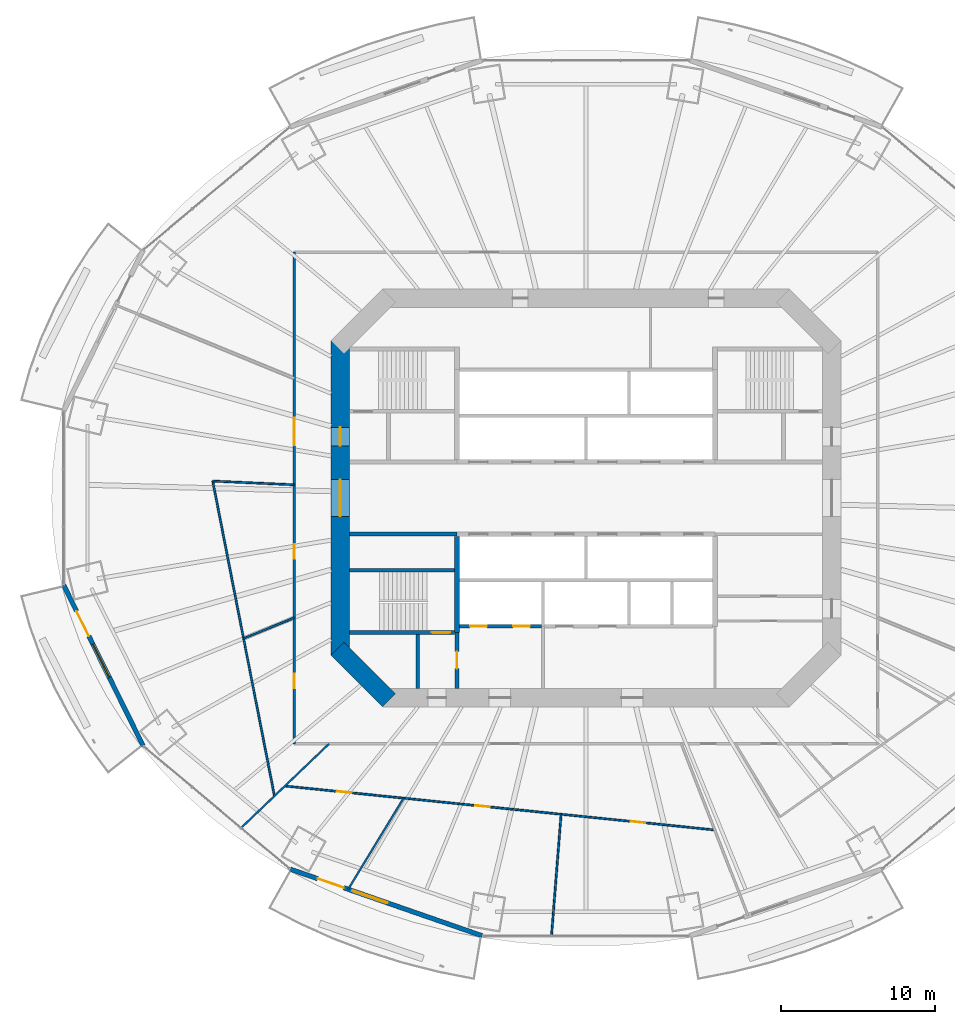
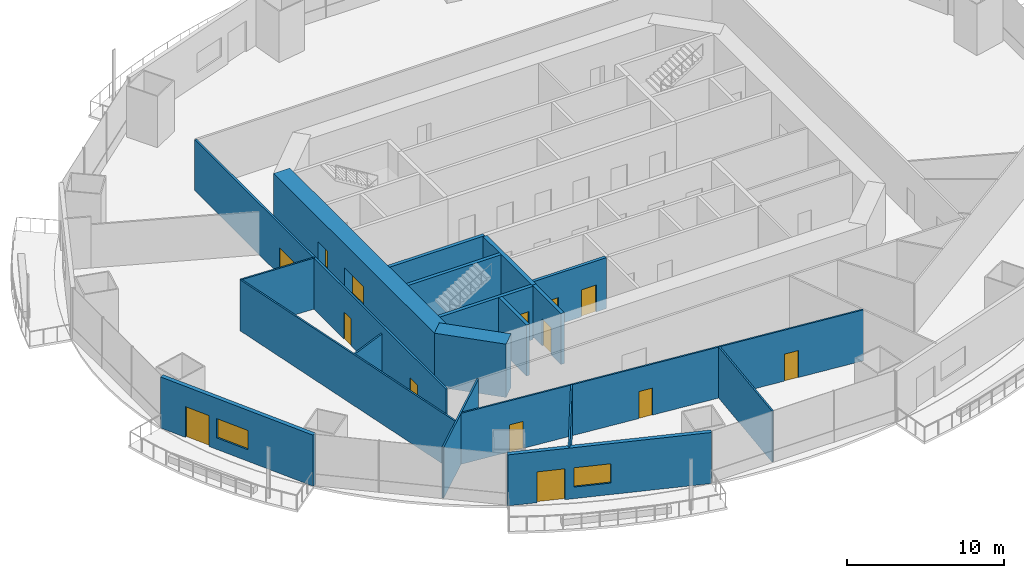
# One storey, part 13 of 22: 19 walls, 14 doors, 2 windows, 16 openings.
"""IFC4 building model written with IfcOpenShell, lengths in metres."""

from ifc_helpers import new_model, si_unit, direction, frame, frame_2d, origin, place, context, subcontext, project, spatial, rectangle, extrude, material, layer, layer_set, type_object, element, fill, save


model = new_model("IFC4")

# Units and contexts
model_context = context("Model", 3, precision=1e-05, world=origin(), true_north=direction((0.0, 1.0)))
body_context = subcontext(model_context, "Body", "Model", "MODEL_VIEW")
ifc_project = project(units=[si_unit("LENGTHUNIT", "METRE"), si_unit("AREAUNIT", "SQUARE_METRE"), si_unit("VOLUMEUNIT", "CUBIC_METRE"), si_unit("PLANEANGLEUNIT", "RADIAN"), si_unit("MASSUNIT", "GRAM", prefix="KILO")], contexts=[model_context])

# Site, building, storey
site_placement = place(None, origin())
site = spatial("IfcSite", under=ifc_project, at=site_placement, CompositionType="ELEMENT")
building_placement = place(site_placement, origin())
building = spatial("IfcBuilding", under=site, at=building_placement, Name="Marenthal Gate Tower", CompositionType="ELEMENT")
storey_placement = place(building_placement, frame((0.0, 0.0, 99.39990234375)))
storey = spatial("IfcBuildingStorey", under=building, at=storey_placement, Name="L20", CompositionType="ELEMENT", Elevation=99.39990234375)

# Wall, openings, doors
ifc_material_1 = material(Name="Concrete 60 MPa", Category="concrete")
ifc_layer_1 = layer(ifc_material_1, 1.199951171875)
ifc_layer_set_1 = layer_set([ifc_layer_1], Name="Core shear wall 1200")
wall_type_1 = type_object("IfcWallType", Name="Core shear wall 1200", PredefinedType="SHEAR", material=ifc_layer_set_1)
wall_1_placement = place(storey_placement, frame((-16.0, 10.24853515625, -0.179931640625), z_axis=(0.0, 0.0, 1.0), x_axis=(0.0, -1.0, 0.0)))
wall_1 = element("IfcWall", 1, at=wall_1_placement, inside=storey, type_object=wall_type_1, Name="Core wall 06", PredefinedType="SHEAR", context=body_context, shape_type="SweptSolid", body=[
    extrude(rectangle(XDim=20.4970703125, YDim=1.199951171875, at=frame_2d((10.24853515625, 0.0))), origin(), (0.0, 0.0, 1.0), 4.150146484375),
])
opening_1_placement = place(wall_1_placement, frame((9.048583984375, 0.0, 0.179931640625)))
opening_1 = element("IfcOpeningElement", 2, at=opening_1_placement, cuts=wall_1, Name="Opening D003.01", PredefinedType="OPENING", context=body_context, shape_type="SweptSolid", body=[
    extrude(rectangle(XDim=2.39990234375, YDim=2.10009765625, at=frame_2d((1.199951171875, 1.050048828125))), frame((0.0, 0.60986328125, 0.0), z_axis=(0.0, -1.0, 0.0), x_axis=(1.0, 0.0, 0.0)), (0.0, 0.0, 1.0), 1.219970703125),
])
opening_2_placement = place(wall_1_placement, frame((5.6484375, 0.0, 0.179931640625)))
opening_2 = element("IfcOpeningElement", 3, at=opening_2_placement, cuts=wall_1, Name="Opening D001.04", PredefinedType="OPENING", context=body_context, shape_type="SweptSolid", body=[
    extrude(rectangle(XDim=1.199951171875, YDim=2.10009765625, at=frame_2d((0.60009765625, 1.050048828125))), frame((0.0, 0.60986328125, 0.0), z_axis=(0.0, -1.0, 0.0), x_axis=(1.0, 0.0, 0.0)), (0.0, 0.0, 1.0), 1.219970703125),
])
ifc_material_2 = material(Name="Steel fire door", Category="steel")
door_type_1 = type_object("IfcDoorType", Name="Double fire door FD 45 2400 x 2100", OperationType="DOUBLE_DOOR_SINGLE_SWING", PredefinedType="DOOR", material=ifc_material_2)
door_1_placement = place(opening_1_placement, origin())
door_1 = element("IfcDoor", 4, at=door_1_placement, inside=storey, type_object=door_type_1, Name="Door D003.01", OperationType="DOUBLE_DOOR_SINGLE_SWING", OverallHeight=2.10009765625, OverallWidth=2.39990234375, PredefinedType="DOOR", context=body_context, shape_type="SweptSolid", body=[
    extrude(rectangle(XDim=2.39990234375, YDim=2.10009765625, at=frame_2d((1.199951171875, 1.050048828125))), frame((0.0, 0.02490234375, 0.0), z_axis=(0.0, -1.0, 0.0), x_axis=(1.0, 0.0, 0.0)), (0.0, 0.0, 1.0), 0.050048828125),
])
fill(opening_1, door_1)
ifc_material_3 = material(Name="Steel fire door", Category="steel")
door_type_2 = type_object("IfcDoorType", Name="Fire door FD 90 1200 x 2100", OperationType="NOTDEFINED", PredefinedType="DOOR", material=ifc_material_3)
door_2_placement = place(opening_2_placement, origin())
door_2 = element("IfcDoor", 5, at=door_2_placement, inside=storey, type_object=door_type_2, Name="Door D001.04", OperationType="SINGLE_SWING_RIGHT", OverallHeight=2.10009765625, OverallWidth=1.199951171875, PredefinedType="DOOR", context=body_context, shape_type="SweptSolid", body=[
    extrude(rectangle(XDim=1.199951171875, YDim=2.10009765625, at=frame_2d((0.60009765625, 1.050048828125))), frame((0.0, 0.02490234375, 0.0), z_axis=(0.0, -1.0, 0.0), x_axis=(1.0, 0.0, 0.0)), (0.0, 0.0, 1.0), 0.050048828125),
])
fill(opening_2, door_2)

# Walls
wall_2_placement = place(storey_placement, frame((-16.17578125, -9.82421875, -0.179931640625), z_axis=(0.0, 0.0, 1.0), x_axis=(0.707106781187, -0.707106781187, 0.0)))
element("IfcWall", 6, at=wall_2_placement, inside=storey, type_object=wall_type_1, Name="Core wall 07", PredefinedType="SHEAR", context=body_context, shape_type="SweptSolid", body=[
    extrude(rectangle(XDim=4.73974609375, YDim=1.199951171875, at=frame_2d((2.369873046875, 0.0))), origin(), (0.0, 0.0, 1.0), 4.150146484375),
])
ifc_material_4 = material(Name="Concrete 50 MPa", Category="concrete")
ifc_layer_2 = layer(ifc_material_4, 0.300048828125)
ifc_layer_set_2 = layer_set([ifc_layer_2], Name="Hoistway shear wall 300")
wall_type_2 = type_object("IfcWallType", Name="Hoistway shear wall 300", PredefinedType="SHEAR", material=ifc_layer_set_2)
wall_3_placement = place(storey_placement, frame((-8.39990234375, -8.75, -0.179931640625), z_axis=(0.0, 0.0, 1.0), x_axis=(0.0, 1.0, 0.0)))
element("IfcWall", 7, at=wall_3_placement, inside=storey, type_object=wall_type_2, Name="Hoistway wall 31", PredefinedType="SHEAR", context=body_context, shape_type="SweptSolid", body=[
    extrude(rectangle(XDim=6.25, YDim=0.300048828125, at=frame_2d((3.125, 0.0))), origin(), (0.0, 0.0, 1.0), 4.150146484375),
])

# Wall, openings, doors
ifc_material_5 = material(Name="Concrete 40 MPa", Category="concrete")
ifc_layer_3 = layer(ifc_material_5, 0.219970703125)
ifc_layer_set_3 = layer_set([ifc_layer_3], Name="Hoistway wall 220")
wall_type_3 = type_object("IfcWallType", Name="Hoistway wall 220", PredefinedType="STANDARD", material=ifc_layer_set_3)
wall_4_placement = place(storey_placement, frame((-8.25, -8.35009765625, 0.0), z_axis=(0.0, 0.0, 1.0), x_axis=(1.0, 0.0, 0.0)))
wall_4 = element("IfcWall", 8, at=wall_4_placement, inside=storey, type_object=wall_type_3, Name="Hoistway wall 10", PredefinedType="STANDARD", context=body_context, shape_type="SweptSolid", body=[
    extrude(rectangle(XDim=5.340087890625, YDim=0.219970703125, at=frame_2d((2.669921875, 0.0))), origin(), (0.0, 0.0, 1.0), 3.97021484375),
])
opening_3_placement = place(wall_4_placement, frame((0.699951171875, 0.0, 0.0)))
opening_3 = element("IfcOpeningElement", 9, at=opening_3_placement, cuts=wall_4, Name="Opening LD-LF1", PredefinedType="OPENING", context=body_context, shape_type="SweptSolid", body=[
    extrude(rectangle(XDim=1.10009765625, YDim=2.10009765625, at=frame_2d((0.550048828125, 1.050048828125))), frame((0.0, 0.1201171875, 0.0), z_axis=(0.0, -1.0, 0.0), x_axis=(1.0, 0.0, 0.0)), (0.0, 0.0, 1.0), 0.239990234375),
])
opening_4_placement = place(wall_4_placement, frame((3.5, 0.0, 0.0)))
opening_4 = element("IfcOpeningElement", 10, at=opening_4_placement, cuts=wall_4, Name="Opening LD-LF2", PredefinedType="OPENING", context=body_context, shape_type="SweptSolid", body=[
    extrude(rectangle(XDim=1.10009765625, YDim=2.10009765625, at=frame_2d((0.550048828125, 1.050048828125))), frame((0.0, 0.1201171875, 0.0), z_axis=(0.0, -1.0, 0.0), x_axis=(1.0, 0.0, 0.0)), (0.0, 0.0, 1.0), 0.239990234375),
])
ifc_material_6 = material(Name="Stainless steel sliding door", Category="steel")
door_type_3 = type_object("IfcDoorType", Name="Lift landing door FD 90 1100 x 2100", OperationType="DOUBLE_DOOR_SLIDING", PredefinedType="DOOR", material=ifc_material_6)
door_3_placement = place(opening_3_placement, origin())
door_3 = element("IfcDoor", 11, at=door_3_placement, inside=storey, type_object=door_type_3, Name="Lift landing door LF1", OperationType="DOUBLE_DOOR_SLIDING", OverallHeight=2.10009765625, OverallWidth=1.10009765625, PredefinedType="DOOR", context=body_context, shape_type="SweptSolid", body=[
    extrude(rectangle(XDim=1.10009765625, YDim=2.10009765625, at=frame_2d((0.550048828125, 1.050048828125))), frame((0.0, 0.02490234375, 0.0), z_axis=(0.0, -1.0, 0.0), x_axis=(1.0, 0.0, 0.0)), (0.0, 0.0, 1.0), 0.050048828125),
])
fill(opening_3, door_3)
door_4_placement = place(opening_4_placement, origin())
door_4 = element("IfcDoor", 12, at=door_4_placement, inside=storey, type_object=door_type_3, Name="Lift landing door LF2", OperationType="DOUBLE_DOOR_SLIDING", OverallHeight=2.10009765625, OverallWidth=1.10009765625, PredefinedType="DOOR", context=body_context, shape_type="SweptSolid", body=[
    extrude(rectangle(XDim=1.10009765625, YDim=2.10009765625, at=frame_2d((0.550048828125, 1.050048828125))), frame((0.0, 0.02490234375, 0.0), z_axis=(0.0, -1.0, 0.0), x_axis=(1.0, 0.0, 0.0)), (0.0, 0.0, 1.0), 0.050048828125),
])
fill(opening_4, door_4)

# Walls
ifc_material_7 = material(Name="Gypsum board on steel studs", Category="steel")
ifc_layer_4 = layer(ifc_material_7, 0.1201171875)
ifc_layer_set_4 = layer_set([ifc_layer_4], Name="Partition 120")
wall_type_4 = type_object("IfcWallType", Name="Partition 120", PredefinedType="PARTITIONING", material=ifc_layer_set_4)
wall_5_placement = place(storey_placement, frame((-24.29931640625, 1.1015625, 0.0), z_axis=(0.0, 0.0, 1.0), x_axis=(0.192428584769, -0.98131098015, 0.0)))
element("IfcWall", 13, at=wall_5_placement, inside=storey, type_object=wall_type_4, Name="Partition wall 47", PredefinedType="PARTITIONING", context=body_context, shape_type="SweptSolid", body=[
    extrude(rectangle(XDim=20.888427734375, YDim=0.1201171875, at=frame_2d((10.4443359375, 0.0))), origin(), (0.0, 0.0, 1.0), 3.97021484375),
])
wall_6_placement = place(storey_placement, frame((-24.29931640625, 1.1015625, 0.0), z_axis=(0.0, 0.0, 1.0), x_axis=(0.998974036647, -0.045286577539, 0.0)))
element("IfcWall", 14, at=wall_6_placement, inside=storey, type_object=wall_type_4, Name="Partition wall 48", PredefinedType="PARTITIONING", context=body_context, shape_type="SweptSolid", body=[
    extrude(rectangle(XDim=5.3046875, YDim=0.1201171875, at=frame_2d((2.65234375, 0.0))), origin(), (0.0, 0.0, 1.0), 3.97021484375),
])
wall_7_placement = place(storey_placement, frame((-22.28955078125, -9.1474609375, 0.0), z_axis=(0.0, 0.0, 1.0), x_axis=(0.92513955931, 0.379627180008, 0.0)))
element("IfcWall", 15, at=wall_7_placement, inside=storey, type_object=wall_type_4, Name="Partition wall 49", PredefinedType="PARTITIONING", context=body_context, shape_type="SweptSolid", body=[
    extrude(rectangle(XDim=3.5556640625, YDim=0.1201171875, at=frame_2d((1.77783203125, 0.0))), origin(), (0.0, 0.0, 1.0), 3.358154296875),
])

# Wall, openings, doors
wall_8_placement = place(storey_placement, frame((-19.6005859375, -18.746826171875, 0.0), z_axis=(0.0, 0.0, 1.0), x_axis=(0.994814570483, -0.101705311343, 0.0)))
wall_8 = element("IfcWall", 16, at=wall_8_placement, inside=storey, type_object=wall_type_4, Name="Partition wall 50", PredefinedType="PARTITIONING", context=body_context, shape_type="SweptSolid", body=[
    extrude(rectangle(XDim=28.126220703125, YDim=0.1201171875, at=frame_2d((14.06298828125, 0.0))), origin(), (0.0, 0.0, 1.0), 3.97021484375),
])
opening_5_placement = place(wall_8_placement, frame((3.406982421875, 0.0, 0.0)))
opening_5 = element("IfcOpeningElement", 17, at=opening_5_placement, cuts=wall_8, Name="Opening D016.03", PredefinedType="OPENING", context=body_context, shape_type="SweptSolid", body=[
    extrude(rectangle(XDim=0.949951171875, YDim=2.10009765625, at=frame_2d((0.47509765625, 1.050048828125))), frame((0.0, 0.070068359375, 0.0), z_axis=(0.0, -1.0, 0.0), x_axis=(1.0, 0.0, 0.0)), (0.0, 0.0, 1.0), 0.14013671875),
])
opening_6_placement = place(wall_8_placement, frame((12.444091796875, 0.0, 0.0)))
opening_6 = element("IfcOpeningElement", 18, at=opening_6_placement, cuts=wall_8, Name="Opening D016.04", PredefinedType="OPENING", context=body_context, shape_type="SweptSolid", body=[
    extrude(rectangle(XDim=0.949951171875, YDim=2.10009765625, at=frame_2d((0.47509765625, 1.050048828125))), frame((0.0, 0.070068359375, 0.0), z_axis=(0.0, -1.0, 0.0), x_axis=(1.0, 0.0, 0.0)), (0.0, 0.0, 1.0), 0.14013671875),
])
opening_7_placement = place(wall_8_placement, frame((22.625, 0.0, 0.0)))
opening_7 = element("IfcOpeningElement", 19, at=opening_7_placement, cuts=wall_8, Name="Opening D016.05", PredefinedType="OPENING", context=body_context, shape_type="SweptSolid", body=[
    extrude(rectangle(XDim=0.949951171875, YDim=2.10009765625, at=frame_2d((0.47509765625, 1.050048828125))), frame((0.0, 0.070068359375, 0.0), z_axis=(0.0, -1.0, 0.0), x_axis=(1.0, 0.0, 0.0)), (0.0, 0.0, 1.0), 0.14013671875),
])
ifc_material_8 = material(Name="Timber door", Category="wood")
door_type_4 = type_object("IfcDoorType", Name="Door 950 x 2100", OperationType="NOTDEFINED", PredefinedType="DOOR", material=ifc_material_8)
door_5_placement = place(opening_5_placement, frame((0.949951171875, 0.0, 0.0), z_axis=(0.0, 0.0, 1.0), x_axis=(-1.0, 0.0, 0.0)))
door_5 = element("IfcDoor", 20, at=door_5_placement, inside=storey, type_object=door_type_4, Name="Door D016.03", OperationType="SINGLE_SWING_LEFT", OverallHeight=2.10009765625, OverallWidth=0.949951171875, PredefinedType="DOOR", context=body_context, shape_type="SweptSolid", body=[
    extrude(rectangle(XDim=0.949951171875, YDim=2.10009765625, at=frame_2d((0.47509765625, 1.050048828125))), frame((0.0, 0.02490234375, 0.0), z_axis=(0.0, -1.0, 0.0), x_axis=(1.0, 0.0, 0.0)), (0.0, 0.0, 1.0), 0.050048828125),
])
fill(opening_5, door_5)
door_6_placement = place(opening_6_placement, frame((0.949951171875, 0.0, 0.0), z_axis=(0.0, 0.0, 1.0), x_axis=(-1.0, 0.0, 0.0)))
door_6 = element("IfcDoor", 21, at=door_6_placement, inside=storey, type_object=door_type_4, Name="Door D016.04", OperationType="SINGLE_SWING_LEFT", OverallHeight=2.10009765625, OverallWidth=0.949951171875, PredefinedType="DOOR", context=body_context, shape_type="SweptSolid", body=[
    extrude(rectangle(XDim=0.949951171875, YDim=2.10009765625, at=frame_2d((0.47509765625, 1.050048828125))), frame((0.0, 0.02490234375, 0.0), z_axis=(0.0, -1.0, 0.0), x_axis=(1.0, 0.0, 0.0)), (0.0, 0.0, 1.0), 0.050048828125),
])
fill(opening_6, door_6)
door_7_placement = place(opening_7_placement, frame((0.949951171875, 0.0, 0.0), z_axis=(0.0, 0.0, 1.0), x_axis=(-1.0, 0.0, 0.0)))
door_7 = element("IfcDoor", 22, at=door_7_placement, inside=storey, type_object=door_type_4, Name="Door D016.05", OperationType="SINGLE_SWING_LEFT", OverallHeight=2.10009765625, OverallWidth=0.949951171875, PredefinedType="DOOR", context=body_context, shape_type="SweptSolid", body=[
    extrude(rectangle(XDim=0.949951171875, YDim=2.10009765625, at=frame_2d((0.47509765625, 1.050048828125))), frame((0.0, 0.02490234375, 0.0), z_axis=(0.0, -1.0, 0.0), x_axis=(1.0, 0.0, 0.0)), (0.0, 0.0, 1.0), 0.050048828125),
])
fill(opening_7, door_7)

# Walls
wall_9_placement = place(storey_placement, frame((-16.728515625, -16.0, 0.0), z_axis=(0.0, 0.0, 1.0), x_axis=(-0.722671289977, -0.69119187397, 0.0)))
element("IfcWall", 23, at=wall_9_placement, inside=storey, type_object=wall_type_4, Name="Partition wall 54", PredefinedType="PARTITIONING", context=body_context, shape_type="SweptSolid", body=[
    extrude(rectangle(XDim=7.92626953125, YDim=0.1201171875, at=frame_2d((3.963134765625, 0.0))), origin(), (0.0, 0.0, 1.0), 3.97021484375),
])
wall_10_placement = place(storey_placement, frame((-15.481689453125, -25.468505859375, 0.0), z_axis=(0.0, 0.0, 1.0), x_axis=(0.519421340377, 0.854518268477, 0.0)))
element("IfcWall", 24, at=wall_10_placement, inside=storey, type_object=wall_type_4, Name="Partition wall 55", PredefinedType="PARTITIONING", context=body_context, shape_type="SweptSolid", body=[
    extrude(rectangle(XDim=6.94189453125, YDim=0.1201171875, at=frame_2d((3.470947265625, 0.0))), origin(), (0.0, 0.0, 1.0), 3.97021484375),
])
wall_11_placement = place(storey_placement, frame((-2.244384765625, -28.494873046875, 0.0), z_axis=(0.0, 0.0, 1.0), x_axis=(0.07852464167, 0.996912172987, 0.0)))
element("IfcWall", 25, at=wall_11_placement, inside=storey, type_object=wall_type_4, Name="Partition wall 56", PredefinedType="PARTITIONING", context=body_context, shape_type="SweptSolid", body=[
    extrude(rectangle(XDim=7.934326171875, YDim=0.1201171875, at=frame_2d((3.96728515625, 0.0))), origin(), (0.0, 0.0, 1.0), 3.97021484375),
])

# Wall, openings, doors
ifc_material_9 = material(Name="Gypsum board on steel studs", Category="steel")
ifc_layer_5 = layer(ifc_material_9, 0.14990234375)
ifc_layer_set_5 = layer_set([ifc_layer_5], Name="Partition 150")
wall_type_5 = type_object("IfcWallType", Name="Partition 150", PredefinedType="PARTITIONING", material=ifc_layer_set_5)
wall_12_placement = place(storey_placement, frame((-19.0, -16.0, 0.0), z_axis=(0.0, 0.0, 1.0), x_axis=(0.0, 1.0, 0.0)))
wall_12 = element("IfcWall", 26, at=wall_12_placement, inside=storey, type_object=wall_type_5, Name="Partition wall 51", PredefinedType="PARTITIONING", context=body_context, shape_type="SweptSolid", body=[
    extrude(rectangle(XDim=32.0, YDim=0.14990234375, at=frame_2d((16.0, 0.0))), origin(), (0.0, 0.0, 1.0), 3.97021484375),
])
opening_8_placement = place(wall_12_placement, frame((12.056884765625, 0.0, 0.0)))
opening_8 = element("IfcOpeningElement", 27, at=opening_8_placement, cuts=wall_12, Name="Opening D016.01", PredefinedType="OPENING", context=body_context, shape_type="SweptSolid", body=[
    extrude(rectangle(XDim=0.949951171875, YDim=2.10009765625, at=frame_2d((0.47509765625, 1.050048828125))), frame((0.0, 0.0849609375, 0.0), z_axis=(0.0, -1.0, 0.0), x_axis=(1.0, 0.0, 0.0)), (0.0, 0.0, 1.0), 0.169921875),
])
opening_9_placement = place(wall_12_placement, frame((3.6259765625, 0.0, 0.0)))
opening_9 = element("IfcOpeningElement", 28, at=opening_9_placement, cuts=wall_12, Name="Opening D016.02", PredefinedType="OPENING", context=body_context, shape_type="SweptSolid", body=[
    extrude(rectangle(XDim=0.949951171875, YDim=2.10009765625, at=frame_2d((0.47509765625, 1.050048828125))), frame((0.0, 0.0849609375, 0.0), z_axis=(0.0, -1.0, 0.0), x_axis=(1.0, 0.0, 0.0)), (0.0, 0.0, 1.0), 0.169921875),
])
opening_10_placement = place(wall_12_placement, frame((19.427978515625, 0.0, 0.0)))
opening_10 = element("IfcOpeningElement", 29, at=opening_10_placement, cuts=wall_12, Name="Opening D014.02", PredefinedType="OPENING", context=body_context, shape_type="SweptSolid", body=[
    extrude(rectangle(XDim=1.800048828125, YDim=2.10009765625, at=frame_2d((0.89990234375, 1.050048828125))), frame((0.0, 0.0849609375, 0.0), z_axis=(0.0, -1.0, 0.0), x_axis=(1.0, 0.0, 0.0)), (0.0, 0.0, 1.0), 0.169921875),
])
door_8_placement = place(opening_8_placement, origin())
door_8 = element("IfcDoor", 30, at=door_8_placement, inside=storey, type_object=door_type_4, Name="Door D016.01", OperationType="SINGLE_SWING_RIGHT", OverallHeight=2.10009765625, OverallWidth=0.949951171875, PredefinedType="DOOR", context=body_context, shape_type="SweptSolid", body=[
    extrude(rectangle(XDim=0.949951171875, YDim=2.10009765625, at=frame_2d((0.47509765625, 1.050048828125))), frame((0.0, 0.02490234375, 0.0), z_axis=(0.0, -1.0, 0.0), x_axis=(1.0, 0.0, 0.0)), (0.0, 0.0, 1.0), 0.050048828125),
])
fill(opening_8, door_8)
door_9_placement = place(opening_9_placement, origin())
door_9 = element("IfcDoor", 31, at=door_9_placement, inside=storey, type_object=door_type_4, Name="Door D016.02", OperationType="SINGLE_SWING_RIGHT", OverallHeight=2.10009765625, OverallWidth=0.949951171875, PredefinedType="DOOR", context=body_context, shape_type="SweptSolid", body=[
    extrude(rectangle(XDim=0.949951171875, YDim=2.10009765625, at=frame_2d((0.47509765625, 1.050048828125))), frame((0.0, 0.02490234375, 0.0), z_axis=(0.0, -1.0, 0.0), x_axis=(1.0, 0.0, 0.0)), (0.0, 0.0, 1.0), 0.050048828125),
])
fill(opening_9, door_9)
ifc_material_10 = material(Name="Timber door", Category="wood")
door_type_5 = type_object("IfcDoorType", Name="Double door 1800 x 2100", OperationType="DOUBLE_DOOR_SINGLE_SWING", PredefinedType="DOOR", material=ifc_material_10)
door_10_placement = place(opening_10_placement, origin())
door_10 = element("IfcDoor", 32, at=door_10_placement, inside=storey, type_object=door_type_5, Name="Door D014.02", OperationType="DOUBLE_DOOR_SINGLE_SWING", OverallHeight=2.10009765625, OverallWidth=1.800048828125, PredefinedType="DOOR", context=body_context, shape_type="SweptSolid", body=[
    extrude(rectangle(XDim=1.800048828125, YDim=2.10009765625, at=frame_2d((0.89990234375, 1.050048828125))), frame((0.0, 0.02490234375, 0.0), z_axis=(0.0, -1.0, 0.0), x_axis=(1.0, 0.0, 0.0)), (0.0, 0.0, 1.0), 0.050048828125),
])
fill(opening_10, door_10)

# Walls
ifc_material_11 = material(Name="Concrete 40 MPa", Category="concrete")
ifc_layer_6 = layer(ifc_material_11, 0.25)
ifc_layer_set_6 = layer_set([ifc_layer_6], Name="Stair enclosure wall 250")
wall_type_6 = type_object("IfcWallType", Name="Stair enclosure wall 250", PredefinedType="STANDARD", material=ifc_layer_set_6)
wall_13_placement = place(storey_placement, frame((-15.39990234375, -2.35009765625, 0.0), z_axis=(0.0, 0.0, 1.0), x_axis=(1.0, 0.0, 0.0)))
element("IfcWall", 33, at=wall_13_placement, inside=storey, type_object=wall_type_6, Name="Stair wall 16", PredefinedType="STANDARD", context=body_context, shape_type="SweptSolid", body=[
    extrude(rectangle(XDim=7.0, YDim=0.25, at=frame_2d((3.5, 0.0))), origin(), (0.0, 0.0, 1.0), 3.97021484375),
])
wall_14_placement = place(storey_placement, frame((-10.949951171875, -12.39990234375, 0.0), z_axis=(0.0, 0.0, 1.0), x_axis=(0.0, 1.0, 0.0)))
element("IfcWall", 34, at=wall_14_placement, inside=storey, type_object=wall_type_6, Name="Stair wall 29", PredefinedType="STANDARD", context=body_context, shape_type="SweptSolid", body=[
    extrude(rectangle(XDim=3.52490234375, YDim=0.25, at=frame_2d((1.762451171875, 0.0))), origin(), (0.0, 0.0, 1.0), 3.97021484375),
])

# Wall, opening, door
wall_15_placement = place(storey_placement, frame((-8.39990234375, -12.39990234375, 0.0), z_axis=(0.0, 0.0, 1.0), x_axis=(0.0, 1.0, 0.0)))
wall_15 = element("IfcWall", 35, at=wall_15_placement, inside=storey, type_object=wall_type_6, Name="Stair wall 30", PredefinedType="STANDARD", context=body_context, shape_type="SweptSolid", body=[
    extrude(rectangle(XDim=3.64990234375, YDim=0.25, at=frame_2d((1.824951171875, 0.0))), origin(), (0.0, 0.0, 1.0), 3.97021484375),
])
opening_11_placement = place(wall_15_placement, frame((1.300048828125, 0.0, 0.0)))
opening_11 = element("IfcOpeningElement", 36, at=opening_11_placement, cuts=wall_15, Name="Opening D002.01", PredefinedType="OPENING", context=body_context, shape_type="SweptSolid", body=[
    extrude(rectangle(XDim=1.10009765625, YDim=2.10009765625, at=frame_2d((0.550048828125, 1.050048828125))), frame((0.0, 0.135009765625, 0.0), z_axis=(0.0, -1.0, 0.0), x_axis=(1.0, 0.0, 0.0)), (0.0, 0.0, 1.0), 0.27001953125),
])
ifc_material_12 = material(Name="Steel fire door", Category="steel")
door_type_6 = type_object("IfcDoorType", Name="Fire door FD 90 1100 x 2100", OperationType="NOTDEFINED", PredefinedType="DOOR", material=ifc_material_12)
door_11_placement = place(opening_11_placement, origin())
door_11 = element("IfcDoor", 37, at=door_11_placement, inside=storey, type_object=door_type_6, Name="Door D002.01", OperationType="SINGLE_SWING_RIGHT", OverallHeight=2.10009765625, OverallWidth=1.10009765625, PredefinedType="DOOR", context=body_context, shape_type="SweptSolid", body=[
    extrude(rectangle(XDim=1.10009765625, YDim=2.10009765625, at=frame_2d((0.550048828125, 1.050048828125))), frame((0.0, 0.02490234375, 0.0), z_axis=(0.0, -1.0, 0.0), x_axis=(1.0, 0.0, 0.0)), (0.0, 0.0, 1.0), 0.050048828125),
])
fill(opening_11, door_11)

ifc_material_13 = material(Name="Concrete 50 MPa", Category="concrete")
ifc_layer_7 = layer(ifc_material_13, 0.25)
ifc_layer_set_7 = layer_set([ifc_layer_7], Name="Stair shear wall 250")
wall_type_7 = type_object("IfcWallType", Name="Stair shear wall 250", PredefinedType="SHEAR", material=ifc_layer_set_7)
wall_16_placement = place(storey_placement, frame((-15.39990234375, -8.75, -0.179931640625), z_axis=(0.0, 0.0, 1.0), x_axis=(1.0, 0.0, 0.0)))
wall_16 = element("IfcWall", 38, at=wall_16_placement, inside=storey, type_object=wall_type_7, Name="Stair wall 09", PredefinedType="SHEAR", context=body_context, shape_type="SweptSolid", body=[
    extrude(rectangle(XDim=6.849853515625, YDim=0.25, at=frame_2d((3.4248046875, 0.0))), origin(), (0.0, 0.0, 1.0), 4.150146484375),
])
opening_12_placement = place(wall_16_placement, frame((5.35009765625, 0.0, 0.179931640625)))
opening_12 = element("IfcOpeningElement", 39, at=opening_12_placement, cuts=wall_16, Name="Opening D001.03", PredefinedType="OPENING", context=body_context, shape_type="SweptSolid", body=[
    extrude(rectangle(XDim=1.199951171875, YDim=2.10009765625, at=frame_2d((0.60009765625, 1.050048828125))), frame((0.0, 0.135009765625, 0.0), z_axis=(0.0, -1.0, 0.0), x_axis=(1.0, 0.0, 0.0)), (0.0, 0.0, 1.0), 0.27001953125),
])
door_12_placement = place(opening_12_placement, origin())
door_12 = element("IfcDoor", 40, at=door_12_placement, inside=storey, type_object=door_type_2, Name="Door D001.03", OperationType="SINGLE_SWING_RIGHT", OverallHeight=2.10009765625, OverallWidth=1.199951171875, PredefinedType="DOOR", context=body_context, shape_type="SweptSolid", body=[
    extrude(rectangle(XDim=1.199951171875, YDim=2.10009765625, at=frame_2d((0.60009765625, 1.050048828125))), frame((0.0, 0.02490234375, 0.0), z_axis=(0.0, -1.0, 0.0), x_axis=(1.0, 0.0, 0.0)), (0.0, 0.0, 1.0), 0.050048828125),
])
fill(opening_12, door_12)

# Wall
wall_17_placement = place(storey_placement, frame((-15.39990234375, -4.699951171875, -0.179931640625), z_axis=(0.0, 0.0, 1.0), x_axis=(1.0, 0.0, 0.0)))
element("IfcWall", 41, at=wall_17_placement, inside=storey, type_object=wall_type_7, Name="Stair wall 15", PredefinedType="SHEAR", context=body_context, shape_type="SweptSolid", body=[
    extrude(rectangle(XDim=6.849853515625, YDim=0.25, at=frame_2d((3.4248046875, 0.0))), origin(), (0.0, 0.0, 1.0), 4.150146484375),
])

# Wall, openings, door, window
ifc_material_14 = material(Name="Terracotta cladding on insulated concrete-block backing", Category="masonry")
ifc_layer_8 = layer(ifc_material_14, 0.300048828125)
ifc_layer_set_8 = layer_set([ifc_layer_8], Name="Terracotta facade wall 300")
wall_type_8 = type_object("IfcWallType", Name="Terracotta facade wall 300", PredefinedType="SOLIDWALL", material=ifc_layer_set_8)
wall_18_placement = place(storey_placement, frame((-34.001953125, -5.66796875, 0.0), z_axis=(0.0, 0.0, 1.0), x_axis=(0.4430961796, -0.896474079728, 0.0)))
wall_18 = element("IfcWall", 42, at=wall_18_placement, inside=storey, type_object=wall_type_8, Name="Terracotta facade wall L20 bay 9", PredefinedType="SOLIDWALL", context=body_context, shape_type="SweptSolid", body=[
    extrude(rectangle(XDim=11.6826171875, YDim=0.300048828125, at=frame_2d((5.84130859375, 0.0))), origin(), (0.0, 0.0, 1.0), 3.97021484375),
])
opening_13_placement = place(wall_18_placement, frame((1.89990234375, 0.0, 0.0)))
opening_13 = element("IfcOpeningElement", 43, at=opening_13_placement, cuts=wall_18, Name="Opening BD-L20-09", PredefinedType="OPENING", context=body_context, shape_type="SweptSolid", body=[
    extrude(rectangle(XDim=1.800048828125, YDim=2.39990234375, at=frame_2d((0.89990234375, 1.199951171875))), frame((0.0, 0.16015625, 0.0), z_axis=(0.0, -1.0, 0.0), x_axis=(1.0, 0.0, 0.0)), (0.0, 0.0, 1.0), 0.320068359375),
])
opening_14_placement = place(wall_18_placement, frame((4.300048828125, 0.0, 0.89990234375)))
opening_14 = element("IfcOpeningElement", 44, at=opening_14_placement, cuts=wall_18, Name="Opening WN1-L20-09", PredefinedType="OPENING", context=body_context, shape_type="SweptSolid", body=[
    extrude(rectangle(XDim=2.39990234375, YDim=1.5, at=frame_2d((1.199951171875, 0.75))), frame((0.0, 0.16015625, 0.0), z_axis=(0.0, -1.0, 0.0), x_axis=(1.0, 0.0, 0.0)), (0.0, 0.0, 1.0), 0.320068359375),
])
ifc_material_15 = material(Name="Aluminium and glass", Category="aluminium")
door_type_7 = type_object("IfcDoorType", Name="Balcony door 1800x2400", OperationType="DOUBLE_DOOR_SINGLE_SWING", PredefinedType="DOOR", material=ifc_material_15)
door_13_placement = place(opening_13_placement, origin())
door_13 = element("IfcDoor", 45, at=door_13_placement, inside=storey, type_object=door_type_7, Name="Balcony door L20 bay 9", OperationType="SINGLE_SWING_LEFT", OverallHeight=2.39990234375, OverallWidth=1.800048828125, PredefinedType="DOOR", context=body_context, shape_type="SweptSolid", body=[
    extrude(rectangle(XDim=1.800048828125, YDim=2.39990234375, at=frame_2d((0.89990234375, 1.199951171875))), frame((0.0, 0.02490234375, 0.0), z_axis=(0.0, -1.0, 0.0), x_axis=(1.0, 0.0, 0.0)), (0.0, 0.0, 1.0), 0.050048828125),
])
fill(opening_13, door_13)
ifc_material_16 = material(Name="Aluminium and glass", Category="aluminium")
window_type = type_object("IfcWindowType", Name="Window 2400x1500", PartitioningType="TRIPLE_PANEL_VERTICAL", PredefinedType="WINDOW", material=ifc_material_16)
window_1_placement = place(opening_14_placement, origin())
window_1 = element("IfcWindow", 46, at=window_1_placement, inside=storey, type_object=window_type, Name="Window L20 bay 9", OverallHeight=1.5, OverallWidth=2.39990234375, PartitioningType="SINGLE_PANEL", PredefinedType="WINDOW", context=body_context, shape_type="SweptSolid", body=[
    extrude(rectangle(XDim=2.39990234375, YDim=1.5, at=frame_2d((1.199951171875, 0.75))), frame((0.0, 0.030029296875, 0.0), z_axis=(0.0, -1.0, 0.0), x_axis=(1.0, 0.0, 0.0)), (0.0, 0.0, 1.0), 0.06005859375),
])
fill(opening_14, window_1)

wall_19_placement = place(storey_placement, frame((-19.260498046875, -24.15673828125, 0.0), z_axis=(0.0, 0.0, 1.0), x_axis=(0.944700030718, -0.327935743647, 0.0)))
wall_19 = element("IfcWall", 47, at=wall_19_placement, inside=storey, type_object=wall_type_8, Name="Terracotta facade wall L20 bay 11", PredefinedType="SOLIDWALL", context=body_context, shape_type="SweptSolid", body=[
    extrude(rectangle(XDim=13.228515625, YDim=0.300048828125, at=frame_2d((6.6142578125, 0.0))), origin(), (0.0, 0.0, 1.0), 3.97021484375),
])
opening_15_placement = place(wall_19_placement, frame((1.89990234375, 0.0, 0.0)))
opening_15 = element("IfcOpeningElement", 48, at=opening_15_placement, cuts=wall_19, Name="Opening BD-L20-11", PredefinedType="OPENING", context=body_context, shape_type="SweptSolid", body=[
    extrude(rectangle(XDim=1.800048828125, YDim=2.39990234375, at=frame_2d((0.89990234375, 1.199951171875))), frame((0.0, 0.16015625, 0.0), z_axis=(0.0, -1.0, 0.0), x_axis=(1.0, 0.0, 0.0)), (0.0, 0.0, 1.0), 0.320068359375),
])
opening_16_placement = place(wall_19_placement, frame((4.300048828125, 0.0, 0.89990234375)))
opening_16 = element("IfcOpeningElement", 49, at=opening_16_placement, cuts=wall_19, Name="Opening WN1-L20-11", PredefinedType="OPENING", context=body_context, shape_type="SweptSolid", body=[
    extrude(rectangle(XDim=2.39990234375, YDim=1.5, at=frame_2d((1.199951171875, 0.75))), frame((0.0, 0.16015625, 0.0), z_axis=(0.0, -1.0, 0.0), x_axis=(1.0, 0.0, 0.0)), (0.0, 0.0, 1.0), 0.320068359375),
])
door_14_placement = place(opening_15_placement, origin())
door_14 = element("IfcDoor", 50, at=door_14_placement, inside=storey, type_object=door_type_7, Name="Balcony door L20 bay 11", OperationType="SINGLE_SWING_LEFT", OverallHeight=2.39990234375, OverallWidth=1.800048828125, PredefinedType="DOOR", context=body_context, shape_type="SweptSolid", body=[
    extrude(rectangle(XDim=1.800048828125, YDim=2.39990234375, at=frame_2d((0.89990234375, 1.199951171875))), frame((0.0, 0.02490234375, 0.0), z_axis=(0.0, -1.0, 0.0), x_axis=(1.0, 0.0, 0.0)), (0.0, 0.0, 1.0), 0.050048828125),
])
fill(opening_15, door_14)
window_2_placement = place(opening_16_placement, origin())
window_2 = element("IfcWindow", 51, at=window_2_placement, inside=storey, type_object=window_type, Name="Window L20 bay 11", OverallHeight=1.5, OverallWidth=2.39990234375, PartitioningType="SINGLE_PANEL", PredefinedType="WINDOW", context=body_context, shape_type="SweptSolid", body=[
    extrude(rectangle(XDim=2.39990234375, YDim=1.5, at=frame_2d((1.199951171875, 0.75))), frame((0.0, 0.030029296875, 0.0), z_axis=(0.0, -1.0, 0.0), x_axis=(1.0, 0.0, 0.0)), (0.0, 0.0, 1.0), 0.06005859375),
])
fill(opening_16, window_2)

save(model, "model.ifc")
